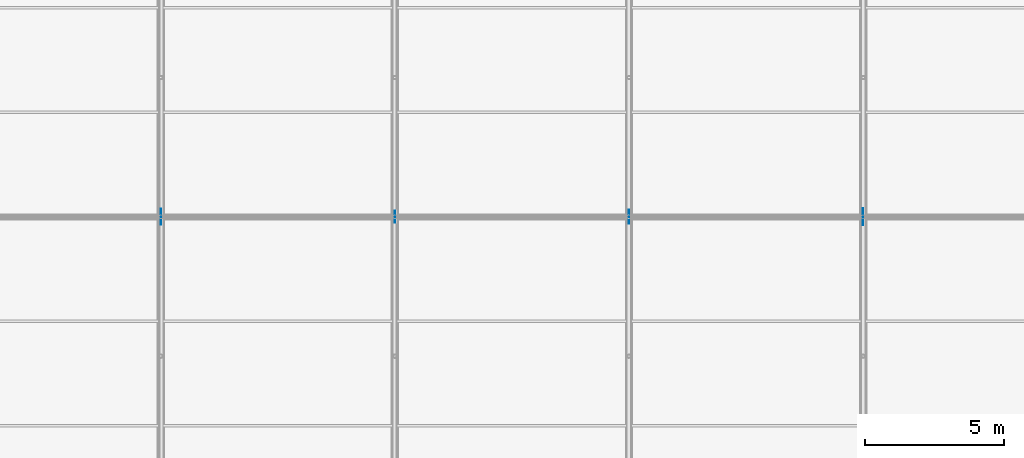
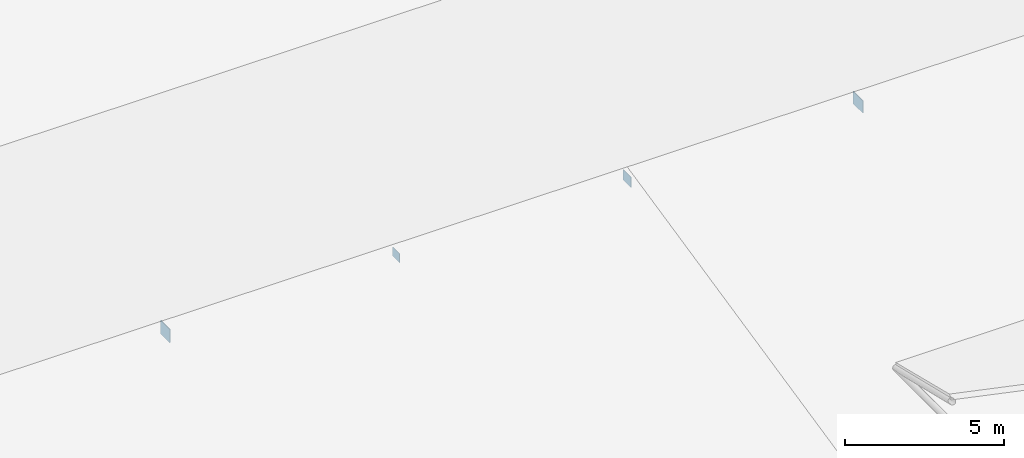
# One storey, part 178 of 194: 4 plates.
"""IFC4 building model written with IfcOpenShell, lengths in metres."""

from ifc_helpers import new_model, si_unit, direction, frame, origin, origin_2d, place, context, subcontext, project, spatial, rectangle, extrude, material, layer, layer_set, type_object, element, save


model = new_model("IFC4")

# Units and contexts
model_context = context("Model", 3, precision=1e-05, world=origin(), true_north=direction((0.0, 1.0)))
body_context = subcontext(model_context, "Body", "Model", "MODEL_VIEW")
ifc_project = project(units=[si_unit("LENGTHUNIT", "METRE"), si_unit("AREAUNIT", "SQUARE_METRE"), si_unit("VOLUMEUNIT", "CUBIC_METRE"), si_unit("PLANEANGLEUNIT", "RADIAN"), si_unit("MASSUNIT", "GRAM", prefix="KILO")], contexts=[model_context])

# Site, building, storey
site_placement = place(None, origin())
site = spatial("IfcSite", under=ifc_project, at=site_placement, CompositionType="ELEMENT")
building_placement = place(site_placement, origin())
building = spatial("IfcBuilding", under=site, at=building_placement, Name="Kazenagashi Tramway Depot", CompositionType="ELEMENT")
storey_placement = place(building_placement, frame((0.0, 0.0, 23.7)))
storey = spatial("IfcBuildingStorey", under=building, at=storey_placement, Name="ROOF", CompositionType="ELEMENT", Elevation=23.7)

# Plates
ifc_material = material(Name="Steel SN490B", Category="steel")
ifc_layer_1 = layer(ifc_material, 0.02)
ifc_layer_set_1 = layer_set([ifc_layer_1], Name="Steel SN490B")
plate_type_1 = type_object("IfcPlateType", Name="GP-11", PredefinedType="USERDEFINED", material=ifc_layer_set_1)
plate_1_placement = place(storey_placement, frame((128.8, 85.0, -10.86), z_axis=(0.0, 0.0, 1.0), x_axis=(0.0, 1.0, 0.0)))
element("IfcPlate", 1, at=plate_1_placement, inside=storey, type_object=plate_type_1, Name="Structural Node Plate GP-11 PLT-0041", ObjectType="GUSSET PLATE", PredefinedType="USERDEFINED", context=body_context, shape_type="SweptSolid", body=[
    extrude(rectangle(XDim=0.58, YDim=0.02, at=origin_2d()), origin(), (0.0, 0.0, 1.0), 0.52),
])
ifc_layer_2 = layer(ifc_material, 0.016)
ifc_layer_set_2 = layer_set([ifc_layer_2], Name="Steel SN490B")
plate_type_2 = type_object("IfcPlateType", Name="GP-12", PredefinedType="USERDEFINED", material=ifc_layer_set_2)
plate_2_placement = place(storey_placement, frame((137.2, 85.0, -10.77), z_axis=(0.0, 0.0, 1.0), x_axis=(0.0, 1.0, 0.0)))
element("IfcPlate", 2, at=plate_2_placement, inside=storey, type_object=plate_type_2, Name="Structural Node Plate GP-12 PLT-0045", ObjectType="GUSSET PLATE", PredefinedType="USERDEFINED", context=body_context, shape_type="SweptSolid", body=[
    extrude(rectangle(XDim=0.44, YDim=0.016, at=origin_2d()), origin(), (0.0, 0.0, 1.0), 0.34),
])
ifc_layer_3 = layer(ifc_material, 0.018)
ifc_layer_set_3 = layer_set([ifc_layer_3], Name="Steel SN490B")
plate_type_3 = type_object("IfcPlateType", Name="GP-13", PredefinedType="USERDEFINED", material=ifc_layer_set_3)
plate_3_placement = place(storey_placement, frame((145.6, 85.0, -10.8), z_axis=(0.0, 0.0, 1.0), x_axis=(0.0, 1.0, 0.0)))
element("IfcPlate", 3, at=plate_3_placement, inside=storey, type_object=plate_type_3, Name="Structural Node Plate GP-13 PLT-0049", ObjectType="GUSSET PLATE", PredefinedType="USERDEFINED", context=body_context, shape_type="SweptSolid", body=[
    extrude(rectangle(XDim=0.5, YDim=0.018, at=origin_2d()), origin(), (0.0, 0.0, 1.0), 0.4),
])
ifc_layer_4 = layer(ifc_material, 0.024)
ifc_layer_set_4 = layer_set([ifc_layer_4], Name="Steel SN490B")
plate_type_4 = type_object("IfcPlateType", Name="GP-14", PredefinedType="USERDEFINED", material=ifc_layer_set_4)
plate_4_placement = place(storey_placement, frame((154.0, 85.0, -10.84), z_axis=(0.0, 0.0, 1.0), x_axis=(0.0, 1.0, 0.0)))
element("IfcPlate", 4, at=plate_4_placement, inside=storey, type_object=plate_type_4, Name="Structural Node Plate GP-14 PLT-0053", ObjectType="GUSSET PLATE", PredefinedType="USERDEFINED", context=body_context, shape_type="SweptSolid", body=[
    extrude(rectangle(XDim=0.62, YDim=0.024, at=origin_2d()), origin(), (0.0, 0.0, 1.0), 0.48),
])

save(model, "model.ifc")
